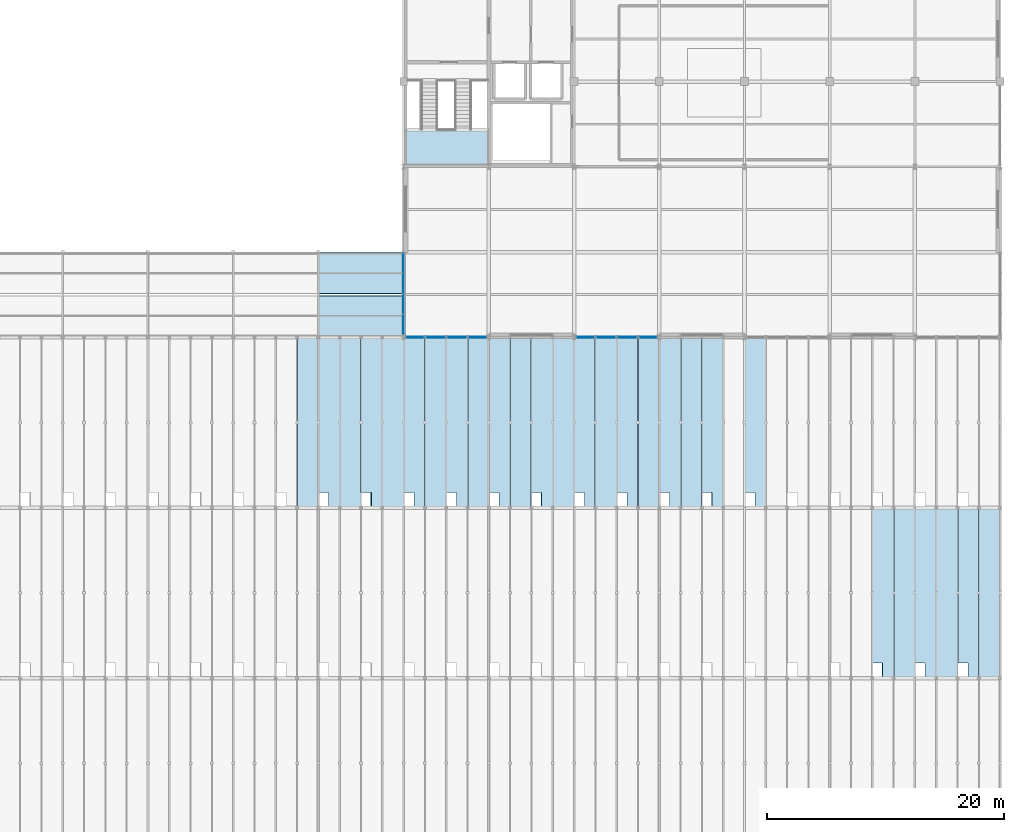
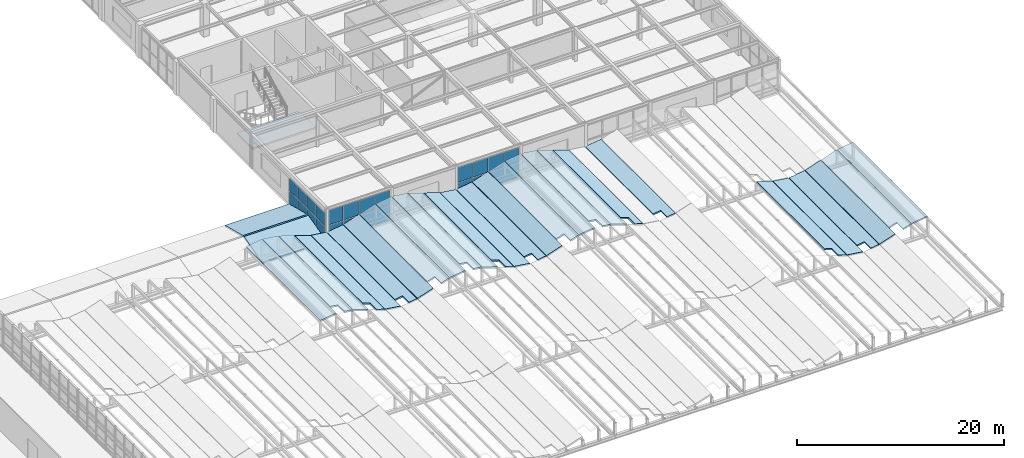
# One storey, part 59 of 83: 30 slabs, 24 plates, 4 elements without a shape of their own.
"""IFC4 building model written with IfcOpenShell, lengths in metres."""

from ifc_helpers import new_model, si_unit, direction, frame, origin, origin_2d, place, context, subcontext, project, spatial, polyline, rectangle, outline, extrude, material, layer, layer_set, type_object, element, aggregate, save


model = new_model("IFC4")

# Units and contexts
model_context = context("Model", 3, precision=1e-05, world=origin(), true_north=direction((0.0, 1.0)))
body_context = subcontext(model_context, "Body", "Model", "MODEL_VIEW")
ifc_project = project(units=[si_unit("LENGTHUNIT", "METRE"), si_unit("AREAUNIT", "SQUARE_METRE"), si_unit("VOLUMEUNIT", "CUBIC_METRE"), si_unit("PLANEANGLEUNIT", "RADIAN"), si_unit("MASSUNIT", "GRAM", prefix="KILO")], contexts=[model_context])

# Site, building, storey
site_placement = place(None, origin())
site = spatial("IfcSite", under=ifc_project, at=site_placement, CompositionType="ELEMENT")
building_placement = place(site_placement, origin())
building = spatial("IfcBuilding", under=site, at=building_placement, Name="Leyfeld Transit Interchange", CompositionType="ELEMENT")
storey_placement = place(building_placement, frame((0.0, 0.0, 5.39990234375)))
storey = spatial("IfcBuildingStorey", under=building, at=storey_placement, Name="L01", CompositionType="ELEMENT", Elevation=5.39990234375)

# Curtain wall, plates
ifc_material_1 = material(Name="Anodised aluminium EN AW-6060 T66", Category="aluminium")
curtain_wall_type_1 = type_object("IfcCurtainWallType", Name="CW-SYS-BUS-7200", PredefinedType="NOTDEFINED", material=ifc_material_1)
curtain_wall_1_placement = place(storey_placement, origin())
curtain_wall_1 = element("IfcCurtainWall", 1, at=curtain_wall_1_placement, inside=storey, type_object=curtain_wall_type_1, Name="Curtain Wall CW-L01-098", PredefinedType="NOTDEFINED")
ifc_material_2 = material(Name="Laminated safety acoustic glazing", Category="glass")
ifc_layer_1 = layer(ifc_material_2, 0.048095703125, Name="Laminated safety acoustic glazing")
ifc_layer_set_1 = layer_set([ifc_layer_1], Name="Laminated safety acoustic glazing")
plate_type_1 = type_object("IfcPlateType", Name="CW-PNL-ACU-48", PredefinedType="CURTAIN_PANEL", material=ifc_layer_set_1)
plate_1_placement = place(storey_placement, frame((157.376220703125, 43.199951171875, 0.07373046875), z_axis=(0.0, 0.0, 1.0), x_axis=(-1.0, 0.0, 0.0)))
plate_1 = element("IfcPlate", 2, at=plate_1_placement, type_object=plate_type_1, Name="Glazed Curtain Panel CW-L01-098-P01_1", PredefinedType="CURTAIN_PANEL", context=body_context, shape_type="SweptSolid", body=[
    extrude(rectangle(XDim=1.62060546875, YDim=0.048095703125, at=origin_2d()), origin(), (0.0, 0.0, 1.0), 1.715576171875),
])
plate_2_placement = place(storey_placement, frame((157.376220703125, 43.199951171875, 1.86083984375), z_axis=(0.0, 0.0, 1.0), x_axis=(-1.0, 0.0, 0.0)))
plate_2 = element("IfcPlate", 3, at=plate_2_placement, type_object=plate_type_1, Name="Glazed Curtain Panel CW-L01-098-P01_2", PredefinedType="CURTAIN_PANEL", context=body_context, shape_type="SweptSolid", body=[
    extrude(rectangle(XDim=1.62060546875, YDim=0.048095703125, at=origin_2d()), origin(), (0.0, 0.0, 1.0), 1.715576171875),
])
plate_3_placement = place(storey_placement, frame((155.6650390625, 43.199951171875, 0.07373046875), z_axis=(0.0, 0.0, 1.0), x_axis=(-1.0, 0.0, 0.0)))
plate_3 = element("IfcPlate", 4, at=plate_3_placement, type_object=plate_type_1, Name="Glazed Curtain Panel CW-L01-098-P02_1", PredefinedType="CURTAIN_PANEL", context=body_context, shape_type="SweptSolid", body=[
    extrude(rectangle(XDim=1.657958984375, YDim=0.048095703125, at=origin_2d()), origin(), (0.0, 0.0, 1.0), 1.715576171875),
])
plate_4_placement = place(storey_placement, frame((155.6650390625, 43.199951171875, 1.86083984375), z_axis=(0.0, 0.0, 1.0), x_axis=(-1.0, 0.0, 0.0)))
plate_4 = element("IfcPlate", 5, at=plate_4_placement, type_object=plate_type_1, Name="Glazed Curtain Panel CW-L01-098-P02_2", PredefinedType="CURTAIN_PANEL", context=body_context, shape_type="SweptSolid", body=[
    extrude(rectangle(XDim=1.657958984375, YDim=0.048095703125, at=origin_2d()), origin(), (0.0, 0.0, 1.0), 1.715576171875),
])
plate_5_placement = place(storey_placement, frame((153.93505859375, 43.199951171875, 0.07373046875), z_axis=(0.0, 0.0, 1.0), x_axis=(-1.0, 0.0, 0.0)))
plate_5 = element("IfcPlate", 6, at=plate_5_placement, type_object=plate_type_1, Name="Glazed Curtain Panel CW-L01-098-P03_1", PredefinedType="CURTAIN_PANEL", context=body_context, shape_type="SweptSolid", body=[
    extrude(rectangle(XDim=1.657958984375, YDim=0.048095703125, at=origin_2d()), origin(), (0.0, 0.0, 1.0), 1.715576171875),
])
plate_6_placement = place(storey_placement, frame((153.93505859375, 43.199951171875, 1.86083984375), z_axis=(0.0, 0.0, 1.0), x_axis=(-1.0, 0.0, 0.0)))
plate_6 = element("IfcPlate", 7, at=plate_6_placement, type_object=plate_type_1, Name="Glazed Curtain Panel CW-L01-098-P03_2", PredefinedType="CURTAIN_PANEL", context=body_context, shape_type="SweptSolid", body=[
    extrude(rectangle(XDim=1.657958984375, YDim=0.048095703125, at=origin_2d()), origin(), (0.0, 0.0, 1.0), 1.715576171875),
])
plate_7_placement = place(storey_placement, frame((152.2236328125, 43.199951171875, 0.07373046875), z_axis=(0.0, 0.0, 1.0), x_axis=(-1.0, 0.0, 0.0)))
plate_7 = element("IfcPlate", 8, at=plate_7_placement, type_object=plate_type_1, Name="Glazed Curtain Panel CW-L01-098-P04_1", PredefinedType="CURTAIN_PANEL", context=body_context, shape_type="SweptSolid", body=[
    extrude(rectangle(XDim=1.62060546875, YDim=0.048095703125, at=origin_2d()), origin(), (0.0, 0.0, 1.0), 1.715576171875),
])
plate_8_placement = place(storey_placement, frame((152.2236328125, 43.199951171875, 1.86083984375), z_axis=(0.0, 0.0, 1.0), x_axis=(-1.0, 0.0, 0.0)))
plate_8 = element("IfcPlate", 9, at=plate_8_placement, type_object=plate_type_1, Name="Glazed Curtain Panel CW-L01-098-P04_2", PredefinedType="CURTAIN_PANEL", context=body_context, shape_type="SweptSolid", body=[
    extrude(rectangle(XDim=1.62060546875, YDim=0.048095703125, at=origin_2d()), origin(), (0.0, 0.0, 1.0), 1.715576171875),
])
aggregate(curtain_wall_1, [plate_1, plate_2, plate_3, plate_4, plate_5, plate_6, plate_7, plate_8])

curtain_wall_2_placement = place(storey_placement, origin())
curtain_wall_2 = element("IfcCurtainWall", 10, at=curtain_wall_2_placement, inside=storey, type_object=curtain_wall_type_1, Name="Curtain Wall CW-L01-099", PredefinedType="NOTDEFINED")
plate_9_placement = place(storey_placement, frame((142.976318359375, 43.199951171875, 0.07373046875), z_axis=(0.0, 0.0, 1.0), x_axis=(-1.0, 0.0, 0.0)))
plate_9 = element("IfcPlate", 11, at=plate_9_placement, type_object=plate_type_1, Name="Glazed Curtain Panel CW-L01-099-P01_1", PredefinedType="CURTAIN_PANEL", context=body_context, shape_type="SweptSolid", body=[
    extrude(rectangle(XDim=1.62060546875, YDim=0.048095703125, at=origin_2d()), origin(), (0.0, 0.0, 1.0), 1.715576171875),
])
plate_10_placement = place(storey_placement, frame((142.976318359375, 43.199951171875, 1.86083984375), z_axis=(0.0, 0.0, 1.0), x_axis=(-1.0, 0.0, 0.0)))
plate_10 = element("IfcPlate", 12, at=plate_10_placement, type_object=plate_type_1, Name="Glazed Curtain Panel CW-L01-099-P01_2", PredefinedType="CURTAIN_PANEL", context=body_context, shape_type="SweptSolid", body=[
    extrude(rectangle(XDim=1.62060546875, YDim=0.048095703125, at=origin_2d()), origin(), (0.0, 0.0, 1.0), 1.715576171875),
])
plate_11_placement = place(storey_placement, frame((141.264892578125, 43.199951171875, 0.07373046875), z_axis=(0.0, 0.0, 1.0), x_axis=(-1.0, 0.0, 0.0)))
plate_11 = element("IfcPlate", 13, at=plate_11_placement, type_object=plate_type_1, Name="Glazed Curtain Panel CW-L01-099-P02_1", PredefinedType="CURTAIN_PANEL", context=body_context, shape_type="SweptSolid", body=[
    extrude(rectangle(XDim=1.657958984375, YDim=0.048095703125, at=origin_2d()), origin(), (0.0, 0.0, 1.0), 1.715576171875),
])
plate_12_placement = place(storey_placement, frame((141.264892578125, 43.199951171875, 1.86083984375), z_axis=(0.0, 0.0, 1.0), x_axis=(-1.0, 0.0, 0.0)))
plate_12 = element("IfcPlate", 14, at=plate_12_placement, type_object=plate_type_1, Name="Glazed Curtain Panel CW-L01-099-P02_2", PredefinedType="CURTAIN_PANEL", context=body_context, shape_type="SweptSolid", body=[
    extrude(rectangle(XDim=1.657958984375, YDim=0.048095703125, at=origin_2d()), origin(), (0.0, 0.0, 1.0), 1.715576171875),
])
plate_13_placement = place(storey_placement, frame((139.534912109375, 43.199951171875, 0.07373046875), z_axis=(0.0, 0.0, 1.0), x_axis=(-1.0, 0.0, 0.0)))
plate_13 = element("IfcPlate", 15, at=plate_13_placement, type_object=plate_type_1, Name="Glazed Curtain Panel CW-L01-099-P03_1", PredefinedType="CURTAIN_PANEL", context=body_context, shape_type="SweptSolid", body=[
    extrude(rectangle(XDim=1.657958984375, YDim=0.048095703125, at=origin_2d()), origin(), (0.0, 0.0, 1.0), 1.715576171875),
])
plate_14_placement = place(storey_placement, frame((139.534912109375, 43.199951171875, 1.86083984375), z_axis=(0.0, 0.0, 1.0), x_axis=(-1.0, 0.0, 0.0)))
plate_14 = element("IfcPlate", 16, at=plate_14_placement, type_object=plate_type_1, Name="Glazed Curtain Panel CW-L01-099-P03_2", PredefinedType="CURTAIN_PANEL", context=body_context, shape_type="SweptSolid", body=[
    extrude(rectangle(XDim=1.657958984375, YDim=0.048095703125, at=origin_2d()), origin(), (0.0, 0.0, 1.0), 1.715576171875),
])
plate_15_placement = place(storey_placement, frame((137.82373046875, 43.199951171875, 0.07373046875), z_axis=(0.0, 0.0, 1.0), x_axis=(-1.0, 0.0, 0.0)))
plate_15 = element("IfcPlate", 17, at=plate_15_placement, type_object=plate_type_1, Name="Glazed Curtain Panel CW-L01-099-P04_1", PredefinedType="CURTAIN_PANEL", context=body_context, shape_type="SweptSolid", body=[
    extrude(rectangle(XDim=1.62060546875, YDim=0.048095703125, at=origin_2d()), origin(), (0.0, 0.0, 1.0), 1.715576171875),
])
plate_16_placement = place(storey_placement, frame((137.82373046875, 43.199951171875, 1.86083984375), z_axis=(0.0, 0.0, 1.0), x_axis=(-1.0, 0.0, 0.0)))
plate_16 = element("IfcPlate", 18, at=plate_16_placement, type_object=plate_type_1, Name="Glazed Curtain Panel CW-L01-099-P04_2", PredefinedType="CURTAIN_PANEL", context=body_context, shape_type="SweptSolid", body=[
    extrude(rectangle(XDim=1.62060546875, YDim=0.048095703125, at=origin_2d()), origin(), (0.0, 0.0, 1.0), 1.715576171875),
])
aggregate(curtain_wall_2, [plate_9, plate_10, plate_11, plate_12, plate_13, plate_14, plate_15, plate_16])

curtain_wall_type_2 = type_object("IfcCurtainWallType", Name="CW-SYS-PAS-7200", PredefinedType="NOTDEFINED", material=ifc_material_1)
curtain_wall_3_placement = place(storey_placement, origin())
curtain_wall_3 = element("IfcCurtainWall", 19, at=curtain_wall_3_placement, inside=storey, type_object=curtain_wall_type_2, Name="Curtain Wall CW-L01-100", PredefinedType="NOTDEFINED")
ifc_material_3 = material(Name="Triple low-E insulated glazing", Category="glass")
ifc_layer_2 = layer(ifc_material_3, 0.0380859375, Name="Triple low-E insulated glazing")
ifc_layer_set_2 = layer_set([ifc_layer_2], Name="Triple low-E insulated glazing")
plate_type_2 = type_object("IfcPlateType", Name="CW-PNL-GLZ-38", PredefinedType="CURTAIN_PANEL", material=ifc_layer_set_2)
plate_17_placement = place(storey_placement, frame((136.800048828125, 44.28125, 0.07373046875), z_axis=(0.0, 0.0, 1.0), x_axis=(0.0, 1.0, 0.0)))
plate_17 = element("IfcPlate", 20, at=plate_17_placement, type_object=plate_type_2, Name="Glazed Curtain Panel CW-L01-100-P01_1", PredefinedType="CURTAIN_PANEL", context=body_context, shape_type="SweptSolid", body=[
    extrude(rectangle(XDim=1.635498046875, YDim=0.0380859375, at=origin_2d()), origin(), (0.0, 0.0, 1.0), 1.515380859375),
])
plate_18_placement = place(storey_placement, frame((136.800048828125, 44.28125, 1.6611328125), z_axis=(0.0, 0.0, 1.0), x_axis=(0.0, 1.0, 0.0)))
plate_18 = element("IfcPlate", 21, at=plate_18_placement, type_object=plate_type_2, Name="Glazed Curtain Panel CW-L01-100-P01_2", PredefinedType="CURTAIN_PANEL", context=body_context, shape_type="SweptSolid", body=[
    extrude(rectangle(XDim=1.635498046875, YDim=0.0380859375, at=origin_2d()), origin(), (0.0, 0.0, 1.0), 1.515380859375),
])
plate_19_placement = place(storey_placement, frame((136.800048828125, 46.007568359375, 0.07373046875), z_axis=(0.0, 0.0, 1.0), x_axis=(0.0, 1.0, 0.0)))
plate_19 = element("IfcPlate", 22, at=plate_19_placement, type_object=plate_type_2, Name="Glazed Curtain Panel CW-L01-100-P02_1", PredefinedType="CURTAIN_PANEL", context=body_context, shape_type="SweptSolid", body=[
    extrude(rectangle(XDim=1.673095703125, YDim=0.0380859375, at=origin_2d()), origin(), (0.0, 0.0, 1.0), 1.515380859375),
])
plate_20_placement = place(storey_placement, frame((136.800048828125, 46.007568359375, 1.6611328125), z_axis=(0.0, 0.0, 1.0), x_axis=(0.0, 1.0, 0.0)))
plate_20 = element("IfcPlate", 23, at=plate_20_placement, type_object=plate_type_2, Name="Glazed Curtain Panel CW-L01-100-P02_2", PredefinedType="CURTAIN_PANEL", context=body_context, shape_type="SweptSolid", body=[
    extrude(rectangle(XDim=1.673095703125, YDim=0.0380859375, at=origin_2d()), origin(), (0.0, 0.0, 1.0), 1.515380859375),
])
plate_21_placement = place(storey_placement, frame((136.800048828125, 47.75244140625, 0.07373046875), z_axis=(0.0, 0.0, 1.0), x_axis=(0.0, 1.0, 0.0)))
plate_21 = element("IfcPlate", 24, at=plate_21_placement, type_object=plate_type_2, Name="Glazed Curtain Panel CW-L01-100-P03_1", PredefinedType="CURTAIN_PANEL", context=body_context, shape_type="SweptSolid", body=[
    extrude(rectangle(XDim=1.673095703125, YDim=0.0380859375, at=origin_2d()), origin(), (0.0, 0.0, 1.0), 1.515380859375),
])
plate_22_placement = place(storey_placement, frame((136.800048828125, 47.75244140625, 1.6611328125), z_axis=(0.0, 0.0, 1.0), x_axis=(0.0, 1.0, 0.0)))
plate_22 = element("IfcPlate", 25, at=plate_22_placement, type_object=plate_type_2, Name="Glazed Curtain Panel CW-L01-100-P03_2", PredefinedType="CURTAIN_PANEL", context=body_context, shape_type="SweptSolid", body=[
    extrude(rectangle(XDim=1.673095703125, YDim=0.0380859375, at=origin_2d()), origin(), (0.0, 0.0, 1.0), 1.515380859375),
])
plate_23_placement = place(storey_placement, frame((136.800048828125, 49.478759765625, 0.07373046875), z_axis=(0.0, 0.0, 1.0), x_axis=(0.0, 1.0, 0.0)))
plate_23 = element("IfcPlate", 26, at=plate_23_placement, type_object=plate_type_2, Name="Glazed Curtain Panel CW-L01-100-P04_1", PredefinedType="CURTAIN_PANEL", context=body_context, shape_type="SweptSolid", body=[
    extrude(rectangle(XDim=1.635498046875, YDim=0.0380859375, at=origin_2d()), origin(), (0.0, 0.0, 1.0), 1.515380859375),
])
plate_24_placement = place(storey_placement, frame((136.800048828125, 49.478759765625, 1.6611328125), z_axis=(0.0, 0.0, 1.0), x_axis=(0.0, 1.0, 0.0)))
plate_24 = element("IfcPlate", 27, at=plate_24_placement, type_object=plate_type_2, Name="Glazed Curtain Panel CW-L01-100-P04_2", PredefinedType="CURTAIN_PANEL", context=body_context, shape_type="SweptSolid", body=[
    extrude(rectangle(XDim=1.635498046875, YDim=0.0380859375, at=origin_2d()), origin(), (0.0, 0.0, 1.0), 1.515380859375),
])
aggregate(curtain_wall_3, [plate_17, plate_18, plate_19, plate_20, plate_21, plate_22, plate_23, plate_24])

# Slabs
ifc_material_4 = material(Name="Precast concrete C40/50", Category="concrete")
ifc_layer_3 = layer(ifc_material_4, 0.18994140625, Name="Precast concrete C40/50")
ifc_layer_set_3 = layer_set([ifc_layer_3], Name="Precast concrete C40/50")
slab_type_1 = type_object("IfcSlabType", Name="SLB-EAVE-190", PredefinedType="ROOF", material=ifc_layer_set_3)
for number, where, z_axis, x_axis, name in (
    (28, (129.60009765625, 43.199951171875, 0.050048828125), (0.0, -0.24907905928, 0.968483155366), (1.0, 0.0, 0.0), "Passage Pitched Roof South 5"),
    (29, (129.60009765625, 46.89990234375, 0.9501953125), (0.0, 0.24907905928, 0.968483155366), (1.0, 0.0, 0.0), "Passage Pitched Roof North 5"),
):
    element("IfcSlab", number, at=place(storey_placement, frame(where, z_axis=z_axis, x_axis=x_axis)), inside=storey, type_object=slab_type_1, Name=name, PredefinedType="ROOF", context=body_context, shape_type="SweptSolid", body=[
        extrude(outline(polyline([(0.0, 0.0), (7.199951171875, 0.0), (7.199951171875, 3.6138986833242392), (0.0, 3.6138986833242392), (0.0, 0.0)])), origin(), (0.0, 0.0, -1.0), 0.18994140625),
    ])

# Stair, slab
stair_type = type_object("IfcStairType", Name="STR-HT-150x320", PredefinedType="HALF_TURN_STAIR", material=ifc_material_4)
stair_placement = place(storey_placement, origin())
stair = element("IfcStair", 30, at=stair_placement, inside=storey, type_object=stair_type, Name="Exit Stair ST-04 (L01 to L02)", PredefinedType="HALF_TURN_STAIR")
ifc_layer_4 = layer(ifc_material_4, 0.199951171875, Name="Precast concrete C40/50")
ifc_layer_set_4 = layer_set([ifc_layer_4], Name="Precast concrete C40/50")
slab_type_2 = type_object("IfcSlabType", Name="SLB-LND-200", PredefinedType="LANDING", material=ifc_layer_set_4)
slab_1_placement = place(storey_placement, frame((0.0, 0.0, 1.900146484375)))
slab_1 = element("IfcSlab", 31, at=slab_1_placement, type_object=slab_type_2, Name="Stair ST-04 L01 Half Landing", PredefinedType="LANDING", context=body_context, shape_type="SweptSolid", body=[
    extrude(outline(polyline([(136.955078125, 57.7548828125), (143.9951171875, 57.7548828125), (143.9951171875, 60.739990234375), (136.955078125, 60.739990234375), (136.955078125, 57.7548828125)])), origin(), (0.0, 0.0, 1.0), 0.199951171875),
])
aggregate(stair, [slab_1])

# Slabs
ifc_layer_5 = layer(ifc_material_4, 0.1650390625, Name="Precast concrete C40/50")
ifc_layer_set_5 = layer_set([ifc_layer_5], Name="Precast concrete C40/50")
slab_type_3 = type_object("IfcSlabType", Name="SLB-WAVE-165", PredefinedType="ROOF", material=ifc_layer_set_5)
slab_2_placement = place(storey_placement, frame((176.419921875, 15.669921875, 1.942626953125), z_axis=(0.317056978235, 4.01592e-07, 0.948406491201), x_axis=(0.948406491201, -5e-12, -0.317056978235)))
element("IfcSlab", 32, at=slab_2_placement, inside=storey, type_object=slab_type_3, Name="Bus Canopy Wave Shell R2 S43", PredefinedType="ROOF", context=body_context, shape_type="SweptSolid", body=[
    extrude(outline(polyline([(0.0, 0.0), (0.8963392883369066, 0.0), (0.896339288343366, -1.2499999999998992), (1.8557543243754762, -1.2499999999907128), (1.8557543243012695, 13.110107421883129), (-6.77471705759284e-11, 13.110107421873941), (0.0, 0.0)])), origin(), (0.0, 0.0, -1.0), 0.1650390625),
])
slab_3_placement = place(storey_placement, frame((178.219970703125, 14.419921875, 1.34375), z_axis=(0.137130242691, 0.0, 0.990553025607), x_axis=(0.990553025607, 0.0, -0.137130242691)))
element("IfcSlab", 33, at=slab_3_placement, inside=storey, type_object=slab_type_3, Name="Bus Canopy Wave Shell R2 S44", PredefinedType="ROOF", context=body_context, shape_type="SweptSolid", body=[
    extrude(outline(polyline([(0.0, 0.0), (1.7767951034686682, 0.0), (1.7767951034686682, 14.360107421875), (0.0, 14.360107421875), (0.0, 0.0)])), origin(), (0.0, 0.0, -1.0), 0.1650390625),
])
slab_4_placement = place(storey_placement, frame((180.02001953125, 15.669921875, 1.10009765625), z_axis=(-0.137130749105, -3.63351e-07, 0.9905529555), x_axis=(0.9905529555, -4e-12, 0.137130749105)))
element("IfcSlab", 34, at=slab_4_placement, inside=storey, type_object=slab_type_3, Name="Bus Canopy Wave Shell R2 S45", PredefinedType="ROOF", context=body_context, shape_type="SweptSolid", body=[
    extrude(outline(polyline([(0.0, 0.0), (0.8582037138964392, 6.617444900424222e-24), (0.858203713901962, -1.2499999999999176), (1.7767951034739589, -1.2499999999923974), (1.7767951034105125, 13.110107421881656), (-5.792355504934759e-11, 13.110107421874135), (0.0, 0.0)])), origin(), (0.0, 0.0, -1.0), 0.1650390625),
])
slab_5_placement = place(storey_placement, frame((181.820068359375, 14.419921875, 1.354248046875), z_axis=(-0.317056465138, 0.0, 0.948406662732), x_axis=(0.948406662732, 0.0, 0.317056465138)))
element("IfcSlab", 35, at=slab_5_placement, inside=storey, type_object=slab_type_3, Name="Bus Canopy Wave Shell R2 S46", PredefinedType="ROOF", context=body_context, shape_type="SweptSolid", body=[
    extrude(outline(polyline([(0.0, 0.0), (1.8557543243692887, 0.0), (1.8557543243692887, 14.360107421875), (0.0, 14.360107421875), (0.0, 0.0)])), origin(), (0.0, 0.0, -1.0), 0.1650390625),
])
slab_6_placement = place(storey_placement, frame((183.6201171875, 15.669921875, 1.95751953125), z_axis=(-0.317094683602, 1.053136e-06, 0.948393885277), x_axis=(0.948393885277, -3.6e-11, 0.317094683602)))
element("IfcSlab", 36, at=slab_6_placement, inside=storey, type_object=slab_type_3, Name="Bus Canopy Wave Shell R2 S47", PredefinedType="ROOF", context=body_context, shape_type="SweptSolid", body=[
    extrude(outline(polyline([(0.0, 0.0), (0.8961077456940829, 0.0), (0.896107745738516, -1.249999999999307), (1.8555227814310307, -1.2499999999361224), (1.8555227809205794, 13.110107421930916), (-4.660181617543322e-10, 13.110107421867731), (0.0, 0.0)])), origin(), (0.0, 0.0, -1.0), 0.1650390625),
])
slab_7_placement = place(storey_placement, frame((185.419921875, 14.419921875, 2.556396484375), z_axis=(-0.137130242691, 0.0, 0.990553025607), x_axis=(0.990553025607, 0.0, 0.137130242691)))
element("IfcSlab", 37, at=slab_7_placement, inside=storey, type_object=slab_type_3, Name="Bus Canopy Wave Shell R2 S48", PredefinedType="ROOF", context=body_context, shape_type="SweptSolid", body=[
    extrude(outline(polyline([(0.0, 0.0), (1.7767951034686682, 0.0), (1.7767951034686682, 14.360107421875), (0.0, 14.360107421875), (0.0, 0.0)])), origin(), (0.0, 0.0, -1.0), 0.1650390625),
])
ifc_layer_6 = layer(ifc_material_4, 0.179931640625, Name="Precast concrete C40/50")
ifc_layer_set_6 = layer_set([ifc_layer_6], Name="Precast concrete C40/50")
slab_type_4 = type_object("IfcSlabType", Name="SLB-WAVE-180", PredefinedType="ROOF", material=ifc_layer_set_6)
slab_8_placement = place(storey_placement, frame((127.820068359375, 28.820068359375, 2.556396484375), z_axis=(-0.137130242691, 0.0, 0.990553025607), x_axis=(0.990553025607, 0.0, 0.137130242691)))
element("IfcSlab", 38, at=slab_8_placement, inside=storey, type_object=slab_type_4, Name="Bus Canopy Wave Shell R3 S16", PredefinedType="ROOF", context=body_context, shape_type="SweptSolid", body=[
    extrude(outline(polyline([(0.0, 0.0), (1.7767951034686682, 0.0), (1.7767951034686682, 14.35986328125), (0.0, 14.35986328125), (0.0, 0.0)])), origin(), (0.0, 0.0, -1.0), 0.179931640625),
])
slab_9_placement = place(storey_placement, frame((129.6201171875, 30.070068359375, 2.800048828125), z_axis=(0.137148539023, -2.65846e-07, 0.990550492526), x_axis=(0.990550492526, -2e-12, -0.137148539023)))
element("IfcSlab", 39, at=slab_9_placement, inside=storey, type_object=slab_type_4, Name="Bus Canopy Wave Shell R3 S17", PredefinedType="ROOF", context=body_context, shape_type="SweptSolid", body=[
    extrude(outline(polyline([(0.0, 0.0), (0.8579618799542765, 6.617444900424222e-24), (0.8579618799572337, -1.2499999999999558), (1.7765532695521895, -1.2499999999959297), (1.7765532695182173, 13.109863281253562), (-3.101492131776785e-11, 13.109863281249536), (0.0, 0.0)])), origin(), (0.0, 0.0, -1.0), 0.179931640625),
])
slab_10_placement = place(storey_placement, frame((131.419921875, 28.820068359375, 2.5458984375), z_axis=(0.317056465138, 0.0, 0.948406662732), x_axis=(0.948406662732, 0.0, -0.317056465138)))
element("IfcSlab", 40, at=slab_10_placement, inside=storey, type_object=slab_type_4, Name="Bus Canopy Wave Shell R3 S18", PredefinedType="ROOF", context=body_context, shape_type="SweptSolid", body=[
    extrude(outline(polyline([(0.0, 0.0), (1.8557543243692887, 0.0), (1.8557543243692887, 14.359863281250004), (0.0, 14.359863281250004), (0.0, 0.0)])), origin(), (0.0, 0.0, -1.0), 0.179931640625),
])
slab_11_placement = place(storey_placement, frame((133.219970703125, 30.070068359375, 1.942626953125), z_axis=(0.317056978244, 4.01599e-07, 0.948406491198), x_axis=(0.948406491198, -5e-12, -0.317056978244)))
element("IfcSlab", 41, at=slab_11_placement, inside=storey, type_object=slab_type_4, Name="Bus Canopy Wave Shell R3 S19", PredefinedType="ROOF", context=body_context, shape_type="SweptSolid", body=[
    extrude(outline(polyline([(0.0, 0.0), (0.8963392883369066, 0.0), (0.8963392883433661, -1.2499999999998992), (1.8557543243754764, -1.2499999999907125), (1.8557543243012695, 13.10986328125813), (-6.774716185961031e-11, 13.109863281248943), (0.0, 0.0)])), origin(), (0.0, 0.0, -1.0), 0.179931640625),
])
slab_12_placement = place(storey_placement, frame((135.02001953125, 28.820068359375, 1.34375), z_axis=(0.137130242691, 0.0, 0.990553025607), x_axis=(0.990553025607, 0.0, -0.137130242691)))
element("IfcSlab", 42, at=slab_12_placement, inside=storey, type_object=slab_type_4, Name="Bus Canopy Wave Shell R3 S20", PredefinedType="ROOF", context=body_context, shape_type="SweptSolid", body=[
    extrude(outline(polyline([(0.0, 0.0), (1.7767951034686682, 0.0), (1.7767951034686682, 14.35986328125), (0.0, 14.35986328125), (0.0, 0.0)])), origin(), (0.0, 0.0, -1.0), 0.179931640625),
])
slab_13_placement = place(storey_placement, frame((136.820068359375, 30.070068359375, 1.10009765625), z_axis=(-0.137129053119, 8.53513e-07, 0.990553190288), x_axis=(0.990553190288, -2.4e-11, 0.13712905312)))
element("IfcSlab", 43, at=slab_13_placement, inside=storey, type_object=slab_type_4, Name="Bus Canopy Wave Shell R3 S21", PredefinedType="ROOF", context=body_context, shape_type="SweptSolid", body=[
    extrude(outline(polyline([(0.0, 0.0), (0.8579618796380758, 1.3234889800848443e-23), (0.8579618796685577, -1.2499999999995446), (1.7767951034978688, -1.2499999999580378), (1.776795103147696, 13.109863281286732), (-3.1969096300248064e-10, 13.109863281245225), (0.0, 0.0)])), origin(), (0.0, 0.0, -1.0), 0.179931640625),
])
slab_14_placement = place(storey_placement, frame((138.6201171875, 28.820068359375, 1.354248046875), z_axis=(-0.317096029298, 0.0, 0.948393435344), x_axis=(0.948393435344, 0.0, 0.317096029298)))
element("IfcSlab", 44, at=slab_14_placement, inside=storey, type_object=slab_type_4, Name="Bus Canopy Wave Shell R3 S22", PredefinedType="ROOF", context=body_context, shape_type="SweptSolid", body=[
    extrude(outline(polyline([(0.0, 0.0), (1.8555227813884656, 0.0), (1.8555227813884656, 14.35986328125), (0.0, 14.35986328125), (0.0, 0.0)])), origin(), (0.0, 0.0, -1.0), 0.179931640625),
])
slab_15_placement = place(storey_placement, frame((140.419921875, 30.070068359375, 1.95751953125), z_axis=(-0.317056978244, -4.01599e-07, 0.948406491198), x_axis=(0.948406491198, -5e-12, 0.317056978244)))
element("IfcSlab", 45, at=slab_15_placement, inside=storey, type_object=slab_type_4, Name="Bus Canopy Wave Shell R3 S23", PredefinedType="ROOF", context=body_context, shape_type="SweptSolid", body=[
    extrude(outline(polyline([(0.0, 0.0), (0.8963392883369066, 0.0), (0.8963392883433661, -1.2499999999998992), (1.8557543243754764, -1.2499999999907125), (1.8557543243012695, 13.10986328125813), (-6.774716185961031e-11, 13.109863281248943), (0.0, 0.0)])), origin(), (0.0, 0.0, -1.0), 0.179931640625),
])
slab_16_placement = place(storey_placement, frame((142.219970703125, 28.820068359375, 2.556396484375), z_axis=(-0.137130242691, 0.0, 0.990553025607), x_axis=(0.990553025607, 0.0, 0.137130242691)))
element("IfcSlab", 46, at=slab_16_placement, inside=storey, type_object=slab_type_4, Name="Bus Canopy Wave Shell R3 S24", PredefinedType="ROOF", context=body_context, shape_type="SweptSolid", body=[
    extrude(outline(polyline([(0.0, 0.0), (1.7767951034686682, 0.0), (1.7767951034686682, 14.35986328125), (0.0, 14.35986328125), (0.0, 0.0)])), origin(), (0.0, 0.0, -1.0), 0.179931640625),
])
slab_17_placement = place(storey_placement, frame((144.02001953125, 30.070068359375, 2.800048828125), z_axis=(0.137130749114, 3.63357e-07, 0.990552955499), x_axis=(0.990552955499, -4e-12, -0.137130749114)))
element("IfcSlab", 47, at=slab_17_placement, inside=storey, type_object=slab_type_4, Name="Bus Canopy Wave Shell R3 S25", PredefinedType="ROOF", context=body_context, shape_type="SweptSolid", body=[
    extrude(outline(polyline([(0.0, 0.0), (0.8582037138964391, 6.617444900424222e-24), (0.858203713901962, -1.2499999999999176), (1.776795103473959, -1.2499999999923972), (1.7767951034105127, 13.109863281256656), (-5.792354759695129e-11, 13.109863281249135), (0.0, 0.0)])), origin(), (0.0, 0.0, -1.0), 0.179931640625),
])
slab_18_placement = place(storey_placement, frame((145.820068359375, 28.820068359375, 2.5458984375), z_axis=(0.317056465138, 0.0, 0.948406662732), x_axis=(0.948406662732, 0.0, -0.317056465138)))
element("IfcSlab", 48, at=slab_18_placement, inside=storey, type_object=slab_type_4, Name="Bus Canopy Wave Shell R3 S26", PredefinedType="ROOF", context=body_context, shape_type="SweptSolid", body=[
    extrude(outline(polyline([(0.0, 0.0), (1.8557543243692887, 0.0), (1.8557543243692887, 14.359863281250004), (0.0, 14.359863281250004), (0.0, 0.0)])), origin(), (0.0, 0.0, -1.0), 0.179931640625),
])
slab_19_placement = place(storey_placement, frame((147.6201171875, 30.070068359375, 1.942626953125), z_axis=(0.317094683578, -1.053155e-06, 0.948393885285), x_axis=(0.948393885285, -3.6e-11, -0.317094683578)))
element("IfcSlab", 49, at=slab_19_placement, inside=storey, type_object=slab_type_4, Name="Bus Canopy Wave Shell R3 S27", PredefinedType="ROOF", context=body_context, shape_type="SweptSolid", body=[
    extrude(outline(polyline([(0.0, 0.0), (0.8961077456940822, -5.293955920339377e-23), (0.8961077457385161, -1.249999999999307), (1.8555227814310316, -1.2499999999361213), (1.8555227809205794, 13.109863281305916), (-4.660181016979226e-10, 13.109863281242731), (0.0, 0.0)])), origin(), (0.0, 0.0, -1.0), 0.179931640625),
])
slab_20_placement = place(storey_placement, frame((149.419921875, 28.820068359375, 1.34375), z_axis=(0.137130242691, 0.0, 0.990553025607), x_axis=(0.990553025607, 0.0, -0.137130242691)))
element("IfcSlab", 50, at=slab_20_placement, inside=storey, type_object=slab_type_4, Name="Bus Canopy Wave Shell R3 S28", PredefinedType="ROOF", context=body_context, shape_type="SweptSolid", body=[
    extrude(outline(polyline([(0.0, 0.0), (1.7767951034686682, 0.0), (1.7767951034686682, 14.35986328125), (0.0, 14.35986328125), (0.0, 0.0)])), origin(), (0.0, 0.0, -1.0), 0.179931640625),
])
slab_21_placement = place(storey_placement, frame((151.219970703125, 30.070068359375, 1.10009765625), z_axis=(-0.137130749114, -3.63357e-07, 0.990552955499), x_axis=(0.990552955499, -4e-12, 0.137130749114)))
element("IfcSlab", 51, at=slab_21_placement, inside=storey, type_object=slab_type_4, Name="Bus Canopy Wave Shell R3 S29", PredefinedType="ROOF", context=body_context, shape_type="SweptSolid", body=[
    extrude(outline(polyline([(0.0, 0.0), (0.8582037138964391, 6.617444900424222e-24), (0.858203713901962, -1.2499999999999176), (1.776795103473959, -1.2499999999923972), (1.7767951034105127, 13.109863281256656), (-5.792354759695129e-11, 13.109863281249135), (0.0, 0.0)])), origin(), (0.0, 0.0, -1.0), 0.179931640625),
])
slab_22_placement = place(storey_placement, frame((153.02001953125, 28.820068359375, 1.354248046875), z_axis=(-0.317056465138, 0.0, 0.948406662732), x_axis=(0.948406662732, 0.0, 0.317056465138)))
element("IfcSlab", 52, at=slab_22_placement, inside=storey, type_object=slab_type_4, Name="Bus Canopy Wave Shell R3 S30", PredefinedType="ROOF", context=body_context, shape_type="SweptSolid", body=[
    extrude(outline(polyline([(0.0, 0.0), (1.8557543243692887, 0.0), (1.8557543243692887, 14.359863281250004), (0.0, 14.359863281250004), (0.0, 0.0)])), origin(), (0.0, 0.0, -1.0), 0.179931640625),
])
slab_23_placement = place(storey_placement, frame((154.820068359375, 30.070068359375, 1.95751953125), z_axis=(-0.317053383555, 2.411901e-06, 0.94840769291), x_axis=(0.948407692913, -1.86e-10, 0.317053383556)))
element("IfcSlab", 53, at=slab_23_placement, inside=storey, type_object=slab_type_4, Name="Bus Canopy Wave Shell R3 S31", PredefinedType="ROOF", context=body_context, shape_type="SweptSolid", body=[
    extrude(outline(polyline([(0.0, 0.0), (0.8961077435272815, 2.117582368135751e-22), (0.8961077437603315, -1.2499999999963642), (1.8557543245925423, -1.2499999996649207), (1.8557543219152897, 13.109863281543312), (-2.444202646422176e-09, 13.109863281211869), (0.0, 0.0)])), origin(), (0.0, 0.0, -1.0), 0.179931640625),
])
slab_24_placement = place(storey_placement, frame((156.6201171875, 28.820068359375, 2.556396484375), z_axis=(-0.137148909592, 0.0, 0.990550441218), x_axis=(0.990550441218, 0.0, 0.137148909592)))
element("IfcSlab", 54, at=slab_24_placement, inside=storey, type_object=slab_type_4, Name="Bus Canopy Wave Shell R3 S32", PredefinedType="ROOF", context=body_context, shape_type="SweptSolid", body=[
    extrude(outline(polyline([(0.0, 0.0), (1.7765532695493567, 0.0), (1.7765532695493567, 14.359863281250004), (0.0, 14.359863281250004), (0.0, 0.0)])), origin(), (0.0, 0.0, -1.0), 0.179931640625),
])
slab_25_placement = place(storey_placement, frame((158.419921875, 30.070068359375, 2.800048828125), z_axis=(0.137130749114, 3.63357e-07, 0.990552955499), x_axis=(0.990552955499, -4e-12, -0.137130749114)))
element("IfcSlab", 55, at=slab_25_placement, inside=storey, type_object=slab_type_4, Name="Bus Canopy Wave Shell R3 S33", PredefinedType="ROOF", context=body_context, shape_type="SweptSolid", body=[
    extrude(outline(polyline([(0.0, 0.0), (0.8582037138964391, 6.617444900424222e-24), (0.858203713901962, -1.2499999999999176), (1.776795103473959, -1.2499999999923972), (1.7767951034105127, 13.109863281256656), (-5.792354759695129e-11, 13.109863281249135), (0.0, 0.0)])), origin(), (0.0, 0.0, -1.0), 0.179931640625),
])
slab_26_placement = place(storey_placement, frame((160.219970703125, 28.820068359375, 2.5458984375), z_axis=(0.317056465138, 0.0, 0.948406662732), x_axis=(0.948406662732, 0.0, -0.317056465138)))
element("IfcSlab", 56, at=slab_26_placement, inside=storey, type_object=slab_type_4, Name="Bus Canopy Wave Shell R3 S34", PredefinedType="ROOF", context=body_context, shape_type="SweptSolid", body=[
    extrude(outline(polyline([(0.0, 0.0), (1.8557543243692887, 0.0), (1.8557543243692887, 14.359863281250004), (0.0, 14.359863281250004), (0.0, 0.0)])), origin(), (0.0, 0.0, -1.0), 0.179931640625),
])
slab_27_placement = place(storey_placement, frame((162.02001953125, 30.070068359375, 1.942626953125), z_axis=(0.317056978244, 4.01599e-07, 0.948406491198), x_axis=(0.948406491198, -5e-12, -0.317056978244)))
element("IfcSlab", 57, at=slab_27_placement, inside=storey, type_object=slab_type_4, Name="Bus Canopy Wave Shell R3 S35", PredefinedType="ROOF", context=body_context, shape_type="SweptSolid", body=[
    extrude(outline(polyline([(0.0, 0.0), (0.8963392883369066, 0.0), (0.8963392883433661, -1.2499999999998992), (1.8557543243754764, -1.2499999999907125), (1.8557543243012695, 13.10986328125813), (-6.774716185961031e-11, 13.109863281248943), (0.0, 0.0)])), origin(), (0.0, 0.0, -1.0), 0.179931640625),
])
slab_28_placement = place(storey_placement, frame((165.6201171875, 30.070068359375, 1.10009765625), z_axis=(-0.137148539023, 2.65846e-07, 0.990550492526), x_axis=(0.990550492526, -2e-12, 0.137148539023)))
element("IfcSlab", 58, at=slab_28_placement, inside=storey, type_object=slab_type_4, Name="Bus Canopy Wave Shell R3 S37", PredefinedType="ROOF", context=body_context, shape_type="SweptSolid", body=[
    extrude(outline(polyline([(0.0, 0.0), (0.8579618799542765, 6.617444900424222e-24), (0.8579618799572337, -1.2499999999999558), (1.7765532695521895, -1.2499999999959297), (1.7765532695182173, 13.109863281253562), (-3.101492131776785e-11, 13.109863281249536), (0.0, 0.0)])), origin(), (0.0, 0.0, -1.0), 0.179931640625),
])

save(model, "model.ifc")
